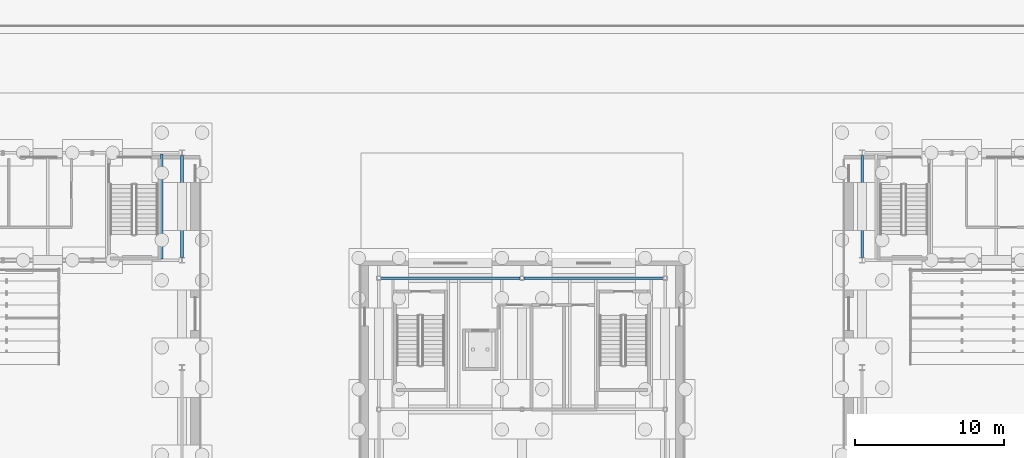
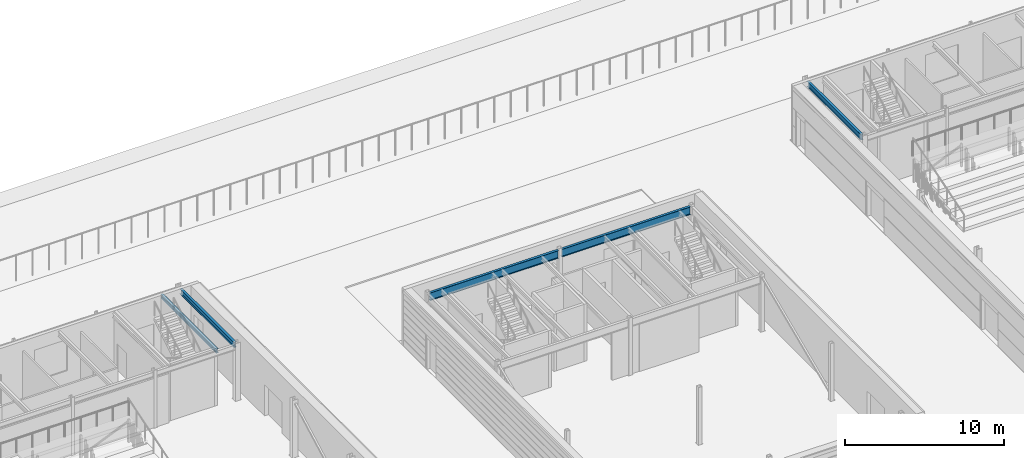
# One storey, part 43 of 139: 5 beams.
"""IFC4 building model written with IfcOpenShell, lengths in metres."""

import ifcopenshell
import ifcopenshell.guid

model = None  # the IFC model being written
_history = None  # IfcOwnerHistory: only IFC2X3 demands one
_inside = {}  # id of a spatial element -> (the spatial element, [elements in it])
_under = {}  # id of a project, library or spatial element -> (it, [spatial elements below it])
_declared = {}  # id of a project -> (the project, [libraries it declares])
_typed = {}  # id of a type object -> (the type object, [elements of that type])
_made_of = {}  # id of a material, layer set ... -> (it, [elements and type objects made of it])


def new_model(schema):
    """Start an empty IFC model of exactly this schema.

    Asked for "IFC4X3", IfcOpenShell would pick the latest addendum, in which some entities
    have other attributes; the version numbers below select the first issue.
    IFC2X3 requires an IfcOwnerHistory on every rooted entity: one is made here for all.
    """
    global model, _history
    if schema == "IFC4X3":
        model = ifcopenshell.file(schema_version=(4, 3, 0, 0))
    else:
        model = ifcopenshell.file(schema=schema)
    _inside.clear()
    _under.clear()
    _declared.clear()
    _typed.clear()
    _made_of.clear()
    _history = None
    if model.schema == "IFC2X3":
        org = make("IfcOrganization", Name="unknown")
        user = make(
            "IfcPersonAndOrganization",
            ThePerson=make("IfcPerson", FamilyName="unknown"),
            TheOrganization=org,
        )
        app = make(
            "IfcApplication",
            ApplicationDeveloper=org,
            Version="unknown",
            ApplicationFullName="unknown",
            ApplicationIdentifier="unknown",
        )
        _history = make(
            "IfcOwnerHistory",
            OwningUser=user,
            OwningApplication=app,
            ChangeAction="ADDED",
            CreationDate=0,
        )
    return model


def make(cls, **values):
    """One entity of the class cls with the attributes given. An attribute that is None is left unset."""
    return model.create_entity(
        cls, **{name: value for name, value in values.items() if value is not None}
    )


def rooted(cls, **values):
    """An entity with a GlobalId (a new one), such as an element, a storey or a relation."""
    return make(cls, GlobalId=ifcopenshell.guid.new(), OwnerHistory=_history, **values)


def si_unit(unit_type, name, prefix=None):
    """IfcSIUnit, for example si_unit("LENGTHUNIT", "METRE", prefix="MILLI")."""
    return make("IfcSIUnit", UnitType=unit_type, Prefix=prefix, Name=name)


def assignment(units):
    """IfcUnitAssignment: the units of a project."""
    return None if units is None else make("IfcUnitAssignment", Units=units)


def point(xyz):
    """IfcCartesianPoint."""
    return None if xyz is None else make("IfcCartesianPoint", Coordinates=xyz)


def direction(xyz):
    """IfcDirection."""
    return None if xyz is None else make("IfcDirection", DirectionRatios=xyz)


def frame(location, z_axis=None, x_axis=None):
    """IfcAxis2Placement3D, a coordinate frame: its origin and axes. An axis left out is left unset."""
    return make(
        "IfcAxis2Placement3D",
        Location=point(location),
        Axis=direction(z_axis),
        RefDirection=direction(x_axis),
    )


def frame_2d(location, x_axis=None):
    """IfcAxis2Placement2D, a coordinate frame in the plane: its origin and x axis."""
    return make(
        "IfcAxis2Placement2D", Location=point(location), RefDirection=direction(x_axis)
    )


def origin():
    """The frame at (0, 0, 0) with its axes left unset."""
    return frame((0.0, 0.0, 0.0))


def origin_2d():
    """The frame at (0, 0) in the plane with its x axis left unset."""
    return frame_2d((0.0, 0.0))


def place(relative_to, where):
    """IfcLocalPlacement: puts the frame where relative to a parent placement (None: the world)."""
    return make(
        "IfcLocalPlacement", PlacementRelTo=relative_to, RelativePlacement=where
    )


def context(
    kind, dimensions, precision=None, world=None, true_north=None, identifier=None
):
    """IfcGeometricRepresentationContext, for example the 3D "Model" context."""
    return make(
        "IfcGeometricRepresentationContext",
        ContextIdentifier=identifier,
        ContextType=kind,
        CoordinateSpaceDimension=dimensions,
        Precision=precision,
        WorldCoordinateSystem=world,
        TrueNorth=true_north,
    )


def subcontext(parent, identifier, kind, view, scale=None):
    """IfcGeometricRepresentationSubContext, for example "Body" below "Model"."""
    return make(
        "IfcGeometricRepresentationSubContext",
        ContextIdentifier=identifier,
        ContextType=kind,
        ParentContext=parent,
        TargetScale=scale,
        TargetView=view,
    )


def project(units=None, contexts=None):
    """IfcProject with its units and contexts."""
    return rooted(
        "IfcProject",
        Name="project",
        RepresentationContexts=contexts,
        UnitsInContext=assignment(units),
    )


def spatial(cls, under=None, at=None, **own):
    """A site, building, storey or space (cls), placed at a placement, below another one or the project."""
    s = rooted(cls, ObjectPlacement=at, **own)
    if under is not None:
        _under.setdefault(under.id(), (under, []))[1].append(s)
    return s


def profile(cls, at=None, kind="AREA", **sizes):
    """A parametric profile (cls). Its sizes go by their IFC names, for example OverallWidth=200.0."""
    return make(cls, ProfileType=kind, Position=at, **sizes)


def i_section(**sizes):
    """IfcIShapeProfileDef."""
    return profile("IfcIShapeProfileDef", **sizes)


def extrude(swept, where, along, depth):
    """IfcExtrudedAreaSolid: the profile swept, set in the frame where, extruded along a direction by depth."""
    return make(
        "IfcExtrudedAreaSolid",
        SweptArea=swept,
        Position=where,
        ExtrudedDirection=direction(along),
        Depth=depth,
    )


def shape(context_of_items, identifier, shape_type, items):
    """IfcShapeRepresentation: the items that make up one representation, for example the "Body"."""
    return make(
        "IfcShapeRepresentation",
        ContextOfItems=context_of_items,
        RepresentationIdentifier=identifier,
        RepresentationType=shape_type,
        Items=items,
    )


def material(Name=None, Category=None):
    """IfcMaterial."""
    return make("IfcMaterial", Name=Name, Category=Category)


def material_profile(
    of_material, cross_section, Name=None, Category=None, Priority=None
):
    """IfcMaterialProfile: a cross section and its material."""
    return make(
        "IfcMaterialProfile",
        Name=Name,
        Material=of_material,
        Profile=cross_section,
        Priority=Priority,
        Category=Category,
    )


def profile_set(profiles, Name=None, composite=None):
    """IfcMaterialProfileSet."""
    return make(
        "IfcMaterialProfileSet",
        Name=Name,
        MaterialProfiles=profiles,
        CompositeProfile=composite,
    )


def made_of(thing, what):
    """Note that an element or type object is made of a material, layer set ...; save() writes the relation."""
    if what is not None:
        _made_of.setdefault(what.id(), (what, []))[1].append(thing)
    return thing


def type_object(cls, material=None, **own):
    """A type object (cls), such as IfcWallType, which elements share."""
    return made_of(rooted(cls, **own), material)


def element(
    cls,
    number,
    at=None,
    inside=None,
    cuts=None,
    type_object=None,
    material=None,
    context=None,
    identifier="Body",
    shape_type=None,
    held_by="IfcProductDefinitionShape",
    body=None,
    shapes=None,
    **own,
):
    """One element of the class cls, such as IfcWall. Its Tag is "e" and its number.

    at: its placement. inside: the storey or other place that contains it. cuts: it is an
    opening in that element (IfcRelVoidsElement). A single representation is given by context,
    identifier, shape_type and body (its items); several are given by shapes. held_by: the class
    of the entity that holds the representations. save() writes the other relations.
    """
    e = rooted(cls, Tag="e%d" % number, ObjectPlacement=at, **own)
    if body is not None:
        shapes = [shape(context, identifier, shape_type, body)]
    if shapes is not None:
        e.Representation = make(held_by, Representations=shapes)
    if inside is not None:
        _inside.setdefault(inside.id(), (inside, []))[1].append(e)
    if cuts is not None:
        rooted(
            "IfcRelVoidsElement", RelatingBuildingElement=cuts, RelatedOpeningElement=e
        )
    if type_object is not None:
        _typed.setdefault(type_object.id(), (type_object, []))[1].append(e)
    return made_of(e, material)


def aggregate(whole, parts):
    """IfcRelAggregates: a whole, such as a stair, and the parts it consists of."""
    return rooted("IfcRelAggregates", RelatingObject=whole, RelatedObjects=parts)


def save(model, path):
    """Write the relations noted so far, then the file.

    IfcRelAggregates (storeys below a building ...), IfcRelContainedInSpatialStructure (elements
    in a storey), IfcRelDefinesByType, IfcRelAssociatesMaterial and IfcRelDeclares: one each for
    every whole, place, type object, material and project.
    """
    for whole, parts in _under.values():
        aggregate(whole, parts)
    for where, things in _inside.values():
        rooted(
            "IfcRelContainedInSpatialStructure",
            RelatedElements=things,
            RelatingStructure=where,
        )
    for kind, things in _typed.values():
        rooted("IfcRelDefinesByType", RelatedObjects=things, RelatingType=kind)
    for what, things in _made_of.values():
        rooted("IfcRelAssociatesMaterial", RelatedObjects=things, RelatingMaterial=what)
    for by, libraries in _declared.values():
        rooted("IfcRelDeclares", RelatingContext=by, RelatedDefinitions=libraries)
    model.write(path)


model = new_model("IFC4")

# Units and contexts
model_context = context("Model", 3, precision=1e-05, world=origin(), true_north=direction((0.0, 1.0)))
body_context = subcontext(model_context, "Body", "Model", "MODEL_VIEW")
ifc_project = project(units=[si_unit("LENGTHUNIT", "METRE"), si_unit("AREAUNIT", "SQUARE_METRE"), si_unit("VOLUMEUNIT", "CUBIC_METRE"), si_unit("PLANEANGLEUNIT", "RADIAN"), si_unit("MASSUNIT", "GRAM", prefix="KILO")], contexts=[model_context])

# Site, building, storey
site_placement = place(None, origin())
site = spatial("IfcSite", under=ifc_project, at=site_placement, CompositionType="ELEMENT")
building_placement = place(site_placement, origin())
building = spatial("IfcBuilding", under=site, at=building_placement, Name="Verrick Yard Athletic Hall", CompositionType="ELEMENT")
storey_placement = place(building_placement, origin())
storey = spatial("IfcBuildingStorey", under=building, at=storey_placement, Name="L00", CompositionType="ELEMENT", Elevation=0.0)

# Beams
ifc_material = material(Name="Structural steel 350W (CSA G40.21)", Category="steel")
ifc_material_profile_1 = material_profile(ifc_material, i_section(OverallWidth=0.177978515625, OverallDepth=0.406982421875, WebThickness=0.0078125, FlangeThickness=0.0126953125, at=origin_2d()), Name="W410x60")
ifc_profile_set_1 = profile_set([ifc_material_profile_1], Name="Structural steel 350W (CSA G40.21)")
beam_type_1 = type_object("IfcBeamType", Name="HB girder W410x60", PredefinedType="BEAM", material=ifc_profile_set_1)
for number, where, z_axis, x_axis, name in (
    (1, (121.60009765625, 100.97802734375, 4.04638671875), (0.0, 1.0, 0.0), (-1.0, 0.0, 0.0), "HB-EB-A-L01-W"),
    (2, (76.0, 100.97802734375, 4.04638671875), (0.0, 1.0, 0.0), (-1.0, 0.0, 0.0), "HB-EB-B-L01-E"),
):
    element("IfcBeam", number, at=place(storey_placement, frame(where, z_axis=z_axis, x_axis=x_axis)), inside=storey, type_object=beam_type_1, Name=name, PredefinedType="BEAM", context=body_context, shape_type="SweptSolid", body=[
        extrude(i_section(OverallWidth=0.177978515625, OverallDepth=0.406982421875, WebThickness=0.0078125, FlangeThickness=0.0126953125, at=origin_2d()), origin(), (0.0, 0.0, 1.0), 6.843994140625),
    ])
ifc_material_profile_2 = material_profile(ifc_material, i_section(OverallWidth=0.178955078125, OverallDepth=0.60302734375, WebThickness=0.010986328125, FlangeThickness=0.014892578125, at=origin_2d()), Name="W610x92")
ifc_profile_set_2 = profile_set([ifc_material_profile_2], Name="Structural steel 350W (CSA G40.21)")
beam_type_2 = type_object("IfcBeamType", Name="HB girder W610x92", PredefinedType="BEAM", material=ifc_profile_set_2)
beam_1_placement = place(storey_placement, frame((89.326904296875, 99.60009765625, 3.948486328125), z_axis=(1.0, 0.0, 0.0), x_axis=(0.0, 1.0, 0.0)))
element("IfcBeam", 3, at=beam_1_placement, inside=storey, type_object=beam_type_2, Name="HB-GB-C-L01-N1", PredefinedType="BEAM", context=body_context, shape_type="SweptSolid", body=[
    extrude(i_section(OverallWidth=0.178955078125, OverallDepth=0.60302734375, WebThickness=0.010986328125, FlangeThickness=0.014892578125, at=origin_2d()), origin(), (0.0, 0.0, 1.0), 9.34619140625),
])
beam_2_placement = place(storey_placement, frame((98.927001953125, 99.60009765625, 3.948486328125), z_axis=(1.0, 0.0, 0.0), x_axis=(0.0, 1.0, 0.0)))
element("IfcBeam", 4, at=beam_2_placement, inside=storey, type_object=beam_type_2, Name="HB-GB-C-L01-N2", PredefinedType="BEAM", context=body_context, shape_type="SweptSolid", body=[
    extrude(i_section(OverallWidth=0.178955078125, OverallDepth=0.60302734375, WebThickness=0.010986328125, FlangeThickness=0.014892578125, at=origin_2d()), origin(), (0.0, 0.0, 1.0), 9.345947265625),
])
ifc_material_profile_3 = material_profile(ifc_material, i_section(OverallWidth=0.1650390625, OverallDepth=0.31005859375, WebThickness=0.005859375, FlangeThickness=0.009765625, at=origin_2d()), Name="W310x39")
ifc_profile_set_3 = profile_set([ifc_material_profile_3], Name="Structural steel 350W (CSA G40.21)")
beam_type_3 = type_object("IfcBeamType", Name="HB trimmer beam W310x39", PredefinedType="BEAM", material=ifc_profile_set_3)
beam_3_placement = place(storey_placement, frame((74.64990234375, 100.888916015625, 4.094970703125), z_axis=(0.0, 1.0, 0.0), x_axis=(-1.0, 0.0, 0.0)))
element("IfcBeam", 5, at=beam_3_placement, inside=storey, type_object=beam_type_3, Name="HB-TB-B-2b", PredefinedType="BEAM", context=body_context, shape_type="SweptSolid", body=[
    extrude(i_section(OverallWidth=0.1650390625, OverallDepth=0.31005859375, WebThickness=0.005859375, FlangeThickness=0.009765625, at=origin_2d()), origin(), (0.0, 0.0, 1.0), 7.02197265625),
])

save(model, "model.ifc")
